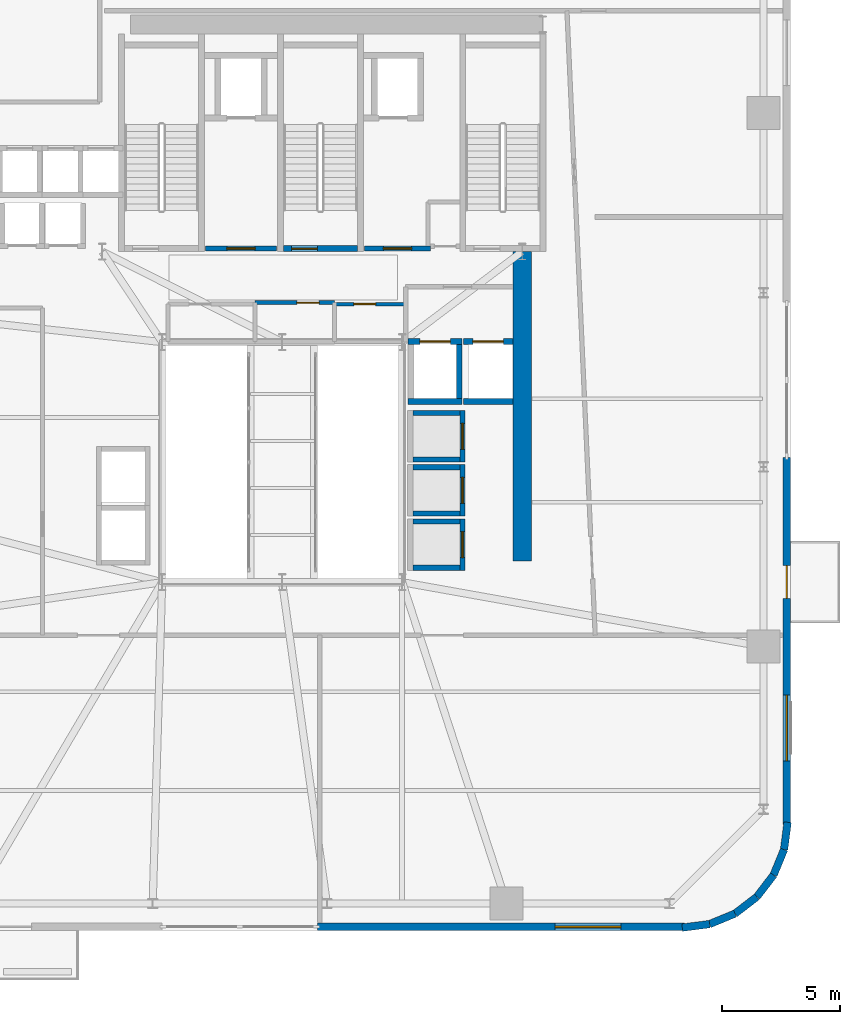
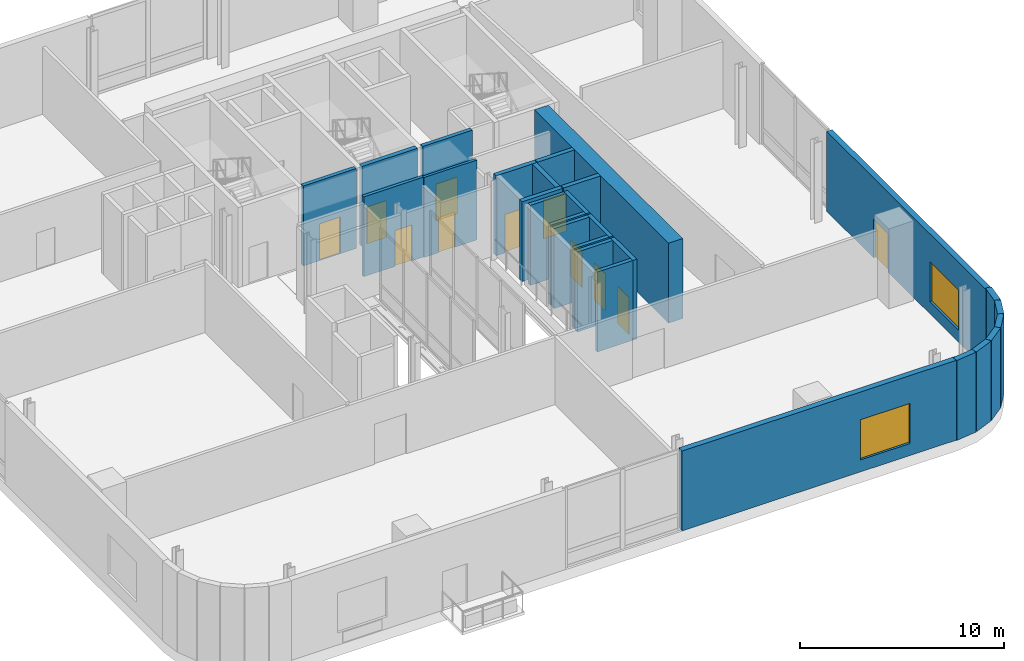
# One storey, part 9 of 14: 28 walls, 11 doors, 2 windows, 13 openings.
"""IFC4 building model written with IfcOpenShell, lengths in metres."""

from ifc_helpers import new_model, si_unit, direction, frame, frame_2d, origin, place, context, subcontext, project, spatial, rectangle, extrude, source, transform, mapped, material, layer, layer_set, type_object, element, fill, save


model = new_model("IFC4")

# Units and contexts
model_context = context("Model", 3, precision=1e-05, world=origin(), true_north=direction((0.0, 1.0)))
body_context = subcontext(model_context, "Body", "Model", "MODEL_VIEW")
ifc_project = project(units=[si_unit("LENGTHUNIT", "METRE"), si_unit("AREAUNIT", "SQUARE_METRE"), si_unit("VOLUMEUNIT", "CUBIC_METRE"), si_unit("PLANEANGLEUNIT", "RADIAN"), si_unit("MASSUNIT", "GRAM", prefix="KILO")], contexts=[model_context])

# Site, building, storey
site_placement = place(None, origin())
site = spatial("IfcSite", under=ifc_project, at=site_placement, CompositionType="ELEMENT")
building_placement = place(site_placement, origin())
building = spatial("IfcBuilding", under=site, at=building_placement, Name="Vardaveli Station Tower", CompositionType="ELEMENT")
storey_placement = place(building_placement, frame((0.0, 0.0, 172.199951171875)))
storey = spatial("IfcBuildingStorey", under=building, at=storey_placement, Name="L44", CompositionType="ELEMENT", Elevation=172.199951171875)

# Wall
ifc_material_1 = material(Name="Concrete C50/60", Category="concrete")
ifc_layer_1 = layer(ifc_material_1, 0.800048828125, Name="Concrete C50/60")
ifc_layer_set_1 = layer_set([ifc_layer_1], Name="Concrete C50/60")
wall_type_1 = type_object("IfcWallType", Name="WAL-CORE-800", PredefinedType="SHEAR", material=ifc_layer_set_1)
shared_shape_1 = source(origin(), body_context, "Body", "SweptSolid", [
    extrude(rectangle(XDim=13.14990234375, YDim=0.800048828125, at=frame_2d((6.574951171875, 0.0))), origin(), (0.0, 0.0, 1.0), 4.780029296875),
])
wall_1_placement = place(storey_placement, frame((46.5, 17.5, 0.0), z_axis=(0.0, 0.0, 1.0), x_axis=(0.0, 1.0, 0.0)))
element("IfcWall", 1, at=wall_1_placement, inside=storey, type_object=wall_type_1, Name="SW-L44-EAST2", PredefinedType="SHEAR", context=body_context, shape_type="MappedRepresentation", body=[
    mapped(shared_shape_1, transform((0.0, 0.0, 0.0), scale=1.0)),
])

# Wall, opening, window
ifc_material_2 = material(Name="Precast concrete C45/55", Category="concrete")
ifc_layer_2 = layer(ifc_material_2, 0.320068359375, Name="Precast concrete C45/55")
ifc_layer_set_2 = layer_set([ifc_layer_2], Name="Precast concrete C45/55")
wall_type_2 = type_object("IfcWallType", Name="WAL-EXT-STONE-320", PredefinedType="SOLIDWALL", material=ifc_layer_set_2)
shared_shape_2 = source(origin(), body_context, "Body", "SweptSolid", [
    extrude(rectangle(XDim=15.599853515625, YDim=0.320068359375, at=frame_2d((7.7998046875, 0.0))), origin(), (0.0, 0.0, 1.0), 4.780029296875),
])
wall_2_placement = place(storey_placement, frame((37.800048828125, 1.9599609375, 0.0), z_axis=(0.0, 0.0, 1.0), x_axis=(1.0, 0.0, 0.0)))
wall_2 = element("IfcWall", 2, at=wall_2_placement, inside=storey, type_object=wall_type_2, Name="EW-L44-S2", PredefinedType="SOLIDWALL", context=body_context, shape_type="MappedRepresentation", body=[
    mapped(shared_shape_2, transform((0.0, 0.0, 0.0), scale=1.0)),
])
shared_shape_3 = source(origin(), body_context, "Body", "SweptSolid", [
    extrude(rectangle(XDim=2.800048828125, YDim=2.39990234375, at=frame_2d((1.39990234375, 1.199951171875))), frame((0.0, 0.169921875, 0.0), z_axis=(0.0, -1.0, 0.0), x_axis=(1.0, 0.0, 0.0)), (0.0, 0.0, 1.0), 0.340087890625),
])
opening_1_placement = place(wall_2_placement, frame((10.094970703125, 0.0, 0.719970703125)))
opening_1 = element("IfcOpeningElement", 3, at=opening_1_placement, cuts=wall_2, Name="Opening W-04", PredefinedType="OPENING", context=body_context, shape_type="MappedRepresentation", body=[
    mapped(shared_shape_3, transform((0.0, 0.0, 0.0), scale=1.0)),
])
ifc_material_3 = material(Name="Low-E solar-control glass", Category="glass")
window_type = type_object("IfcWindowType", Name="WIN-SUITE-2800x2400", PartitioningType="SINGLE_PANEL", PredefinedType="WINDOW", material=ifc_material_3)
shared_shape_4 = source(origin(), body_context, "Body", "SweptSolid", [
    extrude(rectangle(XDim=2.800048828125, YDim=2.39990234375, at=frame_2d((1.39990234375, 1.199951171875))), frame((0.0, 0.030029296875, 0.0), z_axis=(0.0, -1.0, 0.0), x_axis=(1.0, 0.0, 0.0)), (0.0, 0.0, 1.0), 0.06005859375),
])
window_1_placement = place(opening_1_placement, origin())
window_1 = element("IfcWindow", 4, at=window_1_placement, inside=storey, type_object=window_type, Name="WN-L44-S2", OverallHeight=2.39990234375, OverallWidth=2.800048828125, PartitioningType="SINGLE_PANEL", PredefinedType="WINDOW", context=body_context, shape_type="MappedRepresentation", body=[
    mapped(shared_shape_4, transform((0.0, 0.0, 0.0), scale=1.0)),
])
fill(opening_1, window_1)

# Wall, openings, door, window
wall_3_placement = place(storey_placement, frame((57.739990234375, 6.300048828125, 0.0), z_axis=(0.0, 0.0, 1.0), x_axis=(0.0, 1.0, 0.0)))
wall_3 = element("IfcWall", 5, at=wall_3_placement, inside=storey, type_object=wall_type_2, Name="EW-L44-E1", PredefinedType="SOLIDWALL", context=body_context, shape_type="MappedRepresentation", body=[
    mapped(shared_shape_2, transform((0.0, 0.0, 0.0), scale=1.0)),
])
shared_shape_5 = source(origin(), body_context, "Body", "SweptSolid", [
    extrude(rectangle(XDim=1.39990234375, YDim=2.300048828125, at=frame_2d((0.699951171875, 1.14990234375))), frame((0.0, 0.169921875, 0.0), z_axis=(0.0, -1.0, 0.0), x_axis=(1.0, 0.0, 0.0)), (0.0, 0.0, 1.0), 0.340087890625),
])
opening_2_placement = place(wall_3_placement, frame((9.6103515625, 0.0, 0.0)))
opening_2 = element("IfcOpeningElement", 6, at=opening_2_placement, cuts=wall_3, Name="Opening D-09", PredefinedType="OPENING", context=body_context, shape_type="MappedRepresentation", body=[
    mapped(shared_shape_5, transform((0.0, 0.0, 0.0), scale=1.0)),
])
opening_3_placement = place(wall_3_placement, frame((2.705078125, 0.0, 0.719970703125)))
opening_3 = element("IfcOpeningElement", 7, at=opening_3_placement, cuts=wall_3, Name="Opening W-04", PredefinedType="OPENING", context=body_context, shape_type="MappedRepresentation", body=[
    mapped(shared_shape_3, transform((0.0, 0.0, 0.0), scale=1.0)),
])
ifc_material_4 = material(Name="Thermally broken aluminium glass", Category="aluminium")
door_type_1 = type_object("IfcDoorType", Name="DR-LOG-1400x2300", OperationType="DOUBLE_DOOR_SLIDING", PredefinedType="DOOR", material=ifc_material_4)
shared_shape_6 = source(origin(), body_context, "Body", "SweptSolid", [
    extrude(rectangle(XDim=1.39990234375, YDim=2.300048828125, at=frame_2d((0.699951171875, 1.14990234375))), frame((0.0, 0.02490234375, 0.0), z_axis=(0.0, -1.0, 0.0), x_axis=(1.0, 0.0, 0.0)), (0.0, 0.0, 1.0), 0.050048828125),
])
door_1_placement = place(opening_2_placement, frame((1.39990234375, 0.0, 0.0), z_axis=(0.0, 0.0, 1.0), x_axis=(-1.0, 0.0, 0.0)))
door_1 = element("IfcDoor", 8, at=door_1_placement, inside=storey, type_object=door_type_1, Name="DLG-L44-E", OperationType="DOUBLE_DOOR_SLIDING", OverallHeight=2.300048828125, OverallWidth=1.39990234375, PredefinedType="DOOR", context=body_context, shape_type="MappedRepresentation", body=[
    mapped(shared_shape_6, transform((0.0, 0.0, 0.0), scale=1.0)),
])
fill(opening_2, door_1)
window_2_placement = place(opening_3_placement, origin())
window_2 = element("IfcWindow", 9, at=window_2_placement, inside=storey, type_object=window_type, Name="WN-L44-E1", OverallHeight=2.39990234375, OverallWidth=2.800048828125, PartitioningType="SINGLE_PANEL", PredefinedType="WINDOW", context=body_context, shape_type="MappedRepresentation", body=[
    mapped(shared_shape_4, transform((0.0, 0.0, 0.0), scale=1.0)),
])
fill(opening_3, window_2)

# Walls
shared_shape_7 = source(origin(), body_context, "Body", "SweptSolid", [
    extrude(rectangle(XDim=1.170654296875, YDim=0.320068359375, at=frame_2d((0.58544921875, 0.0))), origin(), (0.0, 0.0, 1.0), 4.780029296875),
])
wall_4_placement = place(storey_placement, frame((57.62548828125, 5.23974609375, 0.0), z_axis=(0.0, 0.0, 1.0), x_axis=(0.128269133229, 0.991739395941, 0.0)))
element("IfcWall", 10, at=wall_4_placement, inside=storey, type_object=wall_type_2, Name="EW-L44-CR2-6", PredefinedType="SOLIDWALL", context=body_context, shape_type="MappedRepresentation", body=[
    mapped(shared_shape_7, transform((0.0, 0.0, 0.0), scale=1.0)),
])
shared_shape_8 = source(origin(), body_context, "Body", "SweptSolid", [
    extrude(rectangle(XDim=1.1689453125, YDim=0.320068359375, at=frame_2d((0.58447265625, 0.0))), origin(), (0.0, 0.0, 1.0), 4.780029296875),
])
for number, where, z_axis, x_axis, name in (
    (11, (56.46875, 3.231201171875, 0.0), (0.0, 0.0, 1.0), (0.608387696831, 0.793639975269, 0.0), "EW-L44-CR2-4"),
    (12, (57.179931640625, 4.158935546875, 0.0), (0.0, 0.0, 1.0), (0.381127904695, 0.924522320046, 0.0), "EW-L44-CR2-5"),
):
    element("IfcWall", number, at=place(storey_placement, frame(where, z_axis=z_axis, x_axis=x_axis)), inside=storey, type_object=wall_type_2, Name=name, PredefinedType="SOLIDWALL", context=body_context, shape_type="MappedRepresentation", body=[
        mapped(shared_shape_8, transform((0.0, 0.0, 0.0), scale=1.0)),
    ])
shared_shape_9 = source(origin(), body_context, "Body", "SweptSolid", [
    extrude(rectangle(XDim=1.168701171875, YDim=0.320068359375, at=frame_2d((0.58447265625, 0.0))), origin(), (0.0, 0.0, 1.0), 4.780029296875),
])
wall_5_placement = place(storey_placement, frame((55.541259765625, 2.520263671875, 0.0), z_axis=(0.0, 0.0, 1.0), x_axis=(0.793663520347, 0.608356981114, 0.0)))
element("IfcWall", 13, at=wall_5_placement, inside=storey, type_object=wall_type_2, Name="EW-L44-CR2-3", PredefinedType="SOLIDWALL", context=body_context, shape_type="MappedRepresentation", body=[
    mapped(shared_shape_9, transform((0.0, 0.0, 0.0), scale=1.0)),
])
shared_shape_10 = source(origin(), body_context, "Body", "SweptSolid", [
    extrude(rectangle(XDim=1.16943359375, YDim=0.320068359375, at=frame_2d((0.584716796875, 0.0))), origin(), (0.0, 0.0, 1.0), 4.780029296875),
])
wall_6_placement = place(storey_placement, frame((54.460205078125, 2.074462890625, 0.0), z_axis=(0.0, 0.0, 1.0), x_axis=(0.924479075121, 0.381232789334, 0.0)))
element("IfcWall", 14, at=wall_6_placement, inside=storey, type_object=wall_type_2, Name="EW-L44-CR2-2", PredefinedType="SOLIDWALL", context=body_context, shape_type="MappedRepresentation", body=[
    mapped(shared_shape_10, transform((0.0, 0.0, 0.0), scale=1.0)),
])
shared_shape_11 = source(origin(), body_context, "Body", "SweptSolid", [
    extrude(rectangle(XDim=1.170166015625, YDim=0.320068359375, at=frame_2d((0.5849609375, 0.0))), origin(), (0.0, 0.0, 1.0), 4.780029296875),
])
wall_7_placement = place(storey_placement, frame((53.299560546875, 1.924560546875, 0.0), z_axis=(0.0, 0.0, 1.0), x_axis=(0.991762485493, 0.128090485085, 0.0)))
element("IfcWall", 15, at=wall_7_placement, inside=storey, type_object=wall_type_2, Name="EW-L44-CR2-1", PredefinedType="SOLIDWALL", context=body_context, shape_type="MappedRepresentation", body=[
    mapped(shared_shape_11, transform((0.0, 0.0, 0.0), scale=1.0)),
])

# Wall, opening, door
ifc_material_5 = material(Name="Concrete C40/50", Category="concrete")
ifc_layer_3 = layer(ifc_material_5, 0.25, Name="Concrete C40/50")
ifc_layer_set_3 = layer_set([ifc_layer_3], Name="Concrete C40/50")
wall_type_3 = type_object("IfcWallType", Name="WAL-SHAFT-250", PredefinedType="SOLIDWALL", material=ifc_layer_set_3)
shared_shape_12 = source(origin(), body_context, "Body", "SweptSolid", [
    extrude(rectangle(XDim=3.14990234375, YDim=0.25, at=frame_2d((1.574951171875, 0.0))), origin(), (0.0, 0.0, 1.0), 4.800048828125),
])
wall_8_placement = place(storey_placement, frame((36.35009765625, 30.77490234375, 0.0), z_axis=(0.0, 0.0, 1.0), x_axis=(1.0, 0.0, 0.0)))
wall_8 = element("IfcWall", 16, at=wall_8_placement, inside=storey, type_object=wall_type_3, Name="W-L44-ST-2S", PredefinedType="SOLIDWALL", context=body_context, shape_type="MappedRepresentation", body=[
    mapped(shared_shape_12, transform((0.0, 0.0, 0.0), scale=1.0)),
])
shared_shape_13 = source(origin(), body_context, "Body", "SweptSolid", [
    extrude(rectangle(XDim=1.10009765625, YDim=2.199951171875, at=frame_2d((0.550048828125, 1.10009765625))), frame((0.0, 0.135009765625, 0.0), z_axis=(0.0, -1.0, 0.0), x_axis=(1.0, 0.0, 0.0)), (0.0, 0.0, 1.0), 0.27001953125),
])
opening_4_placement = place(wall_8_placement, frame((0.35009765625, 0.0, 0.0)))
opening_4 = element("IfcOpeningElement", 17, at=opening_4_placement, cuts=wall_8, Name="Opening D-04", PredefinedType="OPENING", context=body_context, shape_type="MappedRepresentation", body=[
    mapped(shared_shape_13, transform((0.0, 0.0, 0.0), scale=1.0)),
])
ifc_material_6 = material(Name="Steel smokeproof fire doorset", Category="steel")
door_type_2 = type_object("IfcDoorType", Name="DR-ST-1100x2200", OperationType="NOTDEFINED", PredefinedType="DOOR", material=ifc_material_6)
shared_shape_14 = source(origin(), body_context, "Body", "SweptSolid", [
    extrude(rectangle(XDim=1.10009765625, YDim=2.199951171875, at=frame_2d((0.550048828125, 1.10009765625))), frame((0.0, 0.02490234375, 0.0), z_axis=(0.0, -1.0, 0.0), x_axis=(1.0, 0.0, 0.0)), (0.0, 0.0, 1.0), 0.050048828125),
])
door_2_placement = place(opening_4_placement, origin())
door_2 = element("IfcDoor", 18, at=door_2_placement, inside=storey, type_object=door_type_2, Name="DST-2-L44", OperationType="SINGLE_SWING_LEFT", OverallHeight=2.199951171875, OverallWidth=1.10009765625, PredefinedType="DOOR", context=body_context, shape_type="MappedRepresentation", body=[
    mapped(shared_shape_14, transform((0.0, 0.0, 0.0), scale=1.0)),
])
fill(opening_4, door_2)

ifc_layer_4 = layer(ifc_material_5, 0.219970703125, Name="Concrete C40/50")
ifc_layer_set_4 = layer_set([ifc_layer_4], Name="Concrete C40/50")
wall_type_4 = type_object("IfcWallType", Name="WAL-FFLOBBY-220", PredefinedType="SOLIDWALL", material=ifc_layer_set_4)
shared_shape_15 = source(origin(), body_context, "Body", "SweptSolid", [
    extrude(rectangle(XDim=3.0, YDim=0.219970703125, at=frame_2d((1.5, 0.0))), origin(), (0.0, 0.0, 1.0), 4.780029296875),
])
wall_9_placement = place(storey_placement, frame((33.050048828125, 30.780029296875, 0.0), z_axis=(0.0, 0.0, 1.0), x_axis=(1.0, 0.0, 0.0)))
wall_9 = element("IfcWall", 19, at=wall_9_placement, inside=storey, type_object=wall_type_4, Name="W-L44-FFL1S", PredefinedType="SOLIDWALL", context=body_context, shape_type="MappedRepresentation", body=[
    mapped(shared_shape_15, transform((0.0, 0.0, 0.0), scale=1.0)),
])
shared_shape_16 = source(origin(), body_context, "Body", "SweptSolid", [
    extrude(rectangle(XDim=1.199951171875, YDim=2.199951171875, at=frame_2d((0.60009765625, 1.10009765625))), frame((0.0, 0.1201171875, 0.0), z_axis=(0.0, -1.0, 0.0), x_axis=(1.0, 0.0, 0.0)), (0.0, 0.0, 1.0), 0.239990234375),
])
opening_5_placement = place(wall_9_placement, frame((0.89990234375, 0.0, 0.0)))
opening_5 = element("IfcOpeningElement", 20, at=opening_5_placement, cuts=wall_9, Name="Opening D-03", PredefinedType="OPENING", context=body_context, shape_type="MappedRepresentation", body=[
    mapped(shared_shape_16, transform((0.0, 0.0, 0.0), scale=1.0)),
])
door_type_3 = type_object("IfcDoorType", Name="DR-FFL-1200x2200", OperationType="NOTDEFINED", PredefinedType="DOOR", material=ifc_material_6)
shared_shape_17 = source(origin(), body_context, "Body", "SweptSolid", [
    extrude(rectangle(XDim=1.199951171875, YDim=2.199951171875, at=frame_2d((0.60009765625, 1.10009765625))), frame((0.0, 0.02490234375, 0.0), z_axis=(0.0, -1.0, 0.0), x_axis=(1.0, 0.0, 0.0)), (0.0, 0.0, 1.0), 0.050048828125),
])
door_3_placement = place(opening_5_placement, origin())
door_3 = element("IfcDoor", 21, at=door_3_placement, inside=storey, type_object=door_type_3, Name="DFFL1-L44", OperationType="SINGLE_SWING_LEFT", OverallHeight=2.199951171875, OverallWidth=1.199951171875, PredefinedType="DOOR", context=body_context, shape_type="MappedRepresentation", body=[
    mapped(shared_shape_17, transform((0.0, 0.0, 0.0), scale=1.0)),
])
fill(opening_5, door_3)

shared_shape_18 = source(origin(), body_context, "Body", "SweptSolid", [
    extrude(rectangle(XDim=2.800048828125, YDim=0.219970703125, at=frame_2d((1.39990234375, 0.0))), origin(), (0.0, 0.0, 1.0), 4.780029296875),
])
wall_10_placement = place(storey_placement, frame((39.800048828125, 30.780029296875, 0.0), z_axis=(0.0, 0.0, 1.0), x_axis=(1.0, 0.0, 0.0)))
wall_10 = element("IfcWall", 22, at=wall_10_placement, inside=storey, type_object=wall_type_4, Name="W-L44-FFL2S", PredefinedType="SOLIDWALL", context=body_context, shape_type="MappedRepresentation", body=[
    mapped(shared_shape_18, transform((0.0, 0.0, 0.0), scale=1.0)),
])
opening_6_placement = place(wall_10_placement, frame((0.800048828125, 0.0, 0.0)))
opening_6 = element("IfcOpeningElement", 23, at=opening_6_placement, cuts=wall_10, Name="Opening D-03", PredefinedType="OPENING", context=body_context, shape_type="MappedRepresentation", body=[
    mapped(shared_shape_16, transform((0.0, 0.0, 0.0), scale=1.0)),
])
door_4_placement = place(opening_6_placement, origin())
door_4 = element("IfcDoor", 24, at=door_4_placement, inside=storey, type_object=door_type_3, Name="DFFL2-L44", OperationType="SINGLE_SWING_RIGHT", OverallHeight=2.199951171875, OverallWidth=1.199951171875, PredefinedType="DOOR", context=body_context, shape_type="MappedRepresentation", body=[
    mapped(shared_shape_17, transform((0.0, 0.0, 0.0), scale=1.0)),
])
fill(opening_6, door_4)

# Walls
shared_shape_19 = source(origin(), body_context, "Body", "SweptSolid", [
    extrude(rectangle(XDim=2.0, YDim=0.219970703125, at=frame_2d((1.0, 0.0))), origin(), (0.0, 0.0, 1.0), 4.780029296875),
])
for number, where, z_axis, x_axis, name in (
    (25, (41.85009765625, 21.81494140625, 0.0), (0.0, 0.0, 1.0), (1.0, 0.0, 0.0), "SHW-HL3-01-L44-S"),
    (26, (41.85009765625, 23.784912109375, 0.0), (0.0, 0.0, 1.0), (1.0, 0.0, 0.0), "SHW-HL3-01-L44-N"),
    (27, (41.85009765625, 19.514892578125, 0.0), (0.0, 0.0, 1.0), (1.0, 0.0, 0.0), "SHW-HL3-02-L44-S"),
    (28, (41.85009765625, 21.485107421875, 0.0), (0.0, 0.0, 1.0), (1.0, 0.0, 0.0), "SHW-HL3-02-L44-N"),
    (29, (41.85009765625, 17.215087890625, 0.0), (0.0, 0.0, 1.0), (1.0, 0.0, 0.0), "SHW-HL3-03-L44-S"),
    (30, (41.85009765625, 19.18505859375, 0.0), (0.0, 0.0, 1.0), (1.0, 0.0, 0.0), "SHW-HL3-03-L44-N"),
):
    element("IfcWall", number, at=place(storey_placement, frame(where, z_axis=z_axis, x_axis=x_axis)), inside=storey, type_object=wall_type_4, Name=name, PredefinedType="SOLIDWALL", context=body_context, shape_type="MappedRepresentation", body=[
        mapped(shared_shape_19, transform((0.0, 0.0, 0.0), scale=1.0)),
    ])

# Wall, opening, door
shared_shape_20 = source(origin(), body_context, "Body", "SweptSolid", [
    extrude(rectangle(XDim=2.18994140625, YDim=0.219970703125, at=frame_2d((1.094970703125, 0.0))), origin(), (0.0, 0.0, 1.0), 4.780029296875),
])
wall_11_placement = place(storey_placement, frame((43.9599609375, 21.705078125, 0.0), z_axis=(0.0, 0.0, 1.0), x_axis=(0.0, 1.0, 0.0)))
wall_11 = element("IfcWall", 31, at=wall_11_placement, inside=storey, type_object=wall_type_4, Name="SHW-HL3-01-L44-E", PredefinedType="SOLIDWALL", context=body_context, shape_type="MappedRepresentation", body=[
    mapped(shared_shape_20, transform((0.0, 0.0, 0.0), scale=1.0)),
])
shared_shape_21 = source(origin(), body_context, "Body", "SweptSolid", [
    extrude(rectangle(XDim=1.10009765625, YDim=2.199951171875, at=frame_2d((0.550048828125, 1.10009765625))), frame((0.0, 0.1201171875, 0.0), z_axis=(0.0, -1.0, 0.0), x_axis=(1.0, 0.0, 0.0)), (0.0, 0.0, 1.0), 0.239990234375),
])
opening_7_placement = place(wall_11_placement, frame((0.544921875, 0.0, 0.0)))
opening_7 = element("IfcOpeningElement", 32, at=opening_7_placement, cuts=wall_11, Name="Opening LD-01", PredefinedType="OPENING", context=body_context, shape_type="MappedRepresentation", body=[
    mapped(shared_shape_21, transform((0.0, 0.0, 0.0), scale=1.0)),
])
ifc_material_7 = material(Name="Brushed stainless steel", Category="steel")
door_type_4 = type_object("IfcDoorType", Name="DR-LD-1100x2200", OperationType="DOUBLE_DOOR_SLIDING", PredefinedType="DOOR", material=ifc_material_7)
door_5_placement = place(opening_7_placement, origin())
door_5 = element("IfcDoor", 33, at=door_5_placement, inside=storey, type_object=door_type_4, Name="LD-HL3-01-L44", OperationType="DOUBLE_DOOR_SLIDING", OverallHeight=2.199951171875, OverallWidth=1.10009765625, PredefinedType="DOOR", context=body_context, shape_type="MappedRepresentation", body=[
    mapped(shared_shape_14, transform((0.0, 0.0, 0.0), scale=1.0)),
])
fill(opening_7, door_5)

wall_12_placement = place(storey_placement, frame((43.9599609375, 19.405029296875, 0.0), z_axis=(0.0, 0.0, 1.0), x_axis=(0.0, 1.0, 0.0)))
wall_12 = element("IfcWall", 34, at=wall_12_placement, inside=storey, type_object=wall_type_4, Name="SHW-HL3-02-L44-E", PredefinedType="SOLIDWALL", context=body_context, shape_type="MappedRepresentation", body=[
    mapped(shared_shape_20, transform((0.0, 0.0, 0.0), scale=1.0)),
])
opening_8_placement = place(wall_12_placement, frame((0.544921875, 0.0, 0.0)))
opening_8 = element("IfcOpeningElement", 35, at=opening_8_placement, cuts=wall_12, Name="Opening LD-01", PredefinedType="OPENING", context=body_context, shape_type="MappedRepresentation", body=[
    mapped(shared_shape_21, transform((0.0, 0.0, 0.0), scale=1.0)),
])
door_6_placement = place(opening_8_placement, origin())
door_6 = element("IfcDoor", 36, at=door_6_placement, inside=storey, type_object=door_type_4, Name="LD-HL3-02-L44", OperationType="DOUBLE_DOOR_SLIDING", OverallHeight=2.199951171875, OverallWidth=1.10009765625, PredefinedType="DOOR", context=body_context, shape_type="MappedRepresentation", body=[
    mapped(shared_shape_14, transform((0.0, 0.0, 0.0), scale=1.0)),
])
fill(opening_8, door_6)

wall_13_placement = place(storey_placement, frame((43.9599609375, 17.10498046875, 0.0), z_axis=(0.0, 0.0, 1.0), x_axis=(0.0, 1.0, 0.0)))
wall_13 = element("IfcWall", 37, at=wall_13_placement, inside=storey, type_object=wall_type_4, Name="SHW-HL3-03-L44-E", PredefinedType="SOLIDWALL", context=body_context, shape_type="MappedRepresentation", body=[
    mapped(shared_shape_20, transform((0.0, 0.0, 0.0), scale=1.0)),
])
opening_9_placement = place(wall_13_placement, frame((0.544921875, 0.0, 0.0)))
opening_9 = element("IfcOpeningElement", 38, at=opening_9_placement, cuts=wall_13, Name="Opening LD-01", PredefinedType="OPENING", context=body_context, shape_type="MappedRepresentation", body=[
    mapped(shared_shape_21, transform((0.0, 0.0, 0.0), scale=1.0)),
])
door_7_placement = place(opening_9_placement, origin())
door_7 = element("IfcDoor", 39, at=door_7_placement, inside=storey, type_object=door_type_4, Name="LD-HL3-03-L44", OperationType="DOUBLE_DOOR_SLIDING", OverallHeight=2.199951171875, OverallWidth=1.10009765625, PredefinedType="DOOR", context=body_context, shape_type="MappedRepresentation", body=[
    mapped(shared_shape_14, transform((0.0, 0.0, 0.0), scale=1.0)),
])
fill(opening_9, door_7)

# Wall
shared_shape_22 = source(origin(), body_context, "Body", "SweptSolid", [
    extrude(rectangle(XDim=2.300048828125, YDim=0.25, at=frame_2d((1.14990234375, 0.0))), origin(), (0.0, 0.0, 1.0), 4.780029296875),
])
wall_14_placement = place(storey_placement, frame((41.64990234375, 24.27490234375, 0.0), z_axis=(0.0, 0.0, 1.0), x_axis=(1.0, 0.0, 0.0)))
element("IfcWall", 40, at=wall_14_placement, inside=storey, type_object=wall_type_3, Name="SHW-SRV-01-L44-S", PredefinedType="SOLIDWALL", context=body_context, shape_type="MappedRepresentation", body=[
    mapped(shared_shape_22, transform((0.0, 0.0, 0.0), scale=1.0)),
])

# Wall, opening, door
wall_15_placement = place(storey_placement, frame((41.64990234375, 26.824951171875, 0.0), z_axis=(0.0, 0.0, 1.0), x_axis=(1.0, 0.0, 0.0)))
wall_15 = element("IfcWall", 41, at=wall_15_placement, inside=storey, type_object=wall_type_3, Name="SHW-SRV-01-L44-N", PredefinedType="SOLIDWALL", context=body_context, shape_type="MappedRepresentation", body=[
    mapped(shared_shape_22, transform((0.0, 0.0, 0.0), scale=1.0)),
])
shared_shape_23 = source(origin(), body_context, "Body", "SweptSolid", [
    extrude(rectangle(XDim=1.300048828125, YDim=2.300048828125, at=frame_2d((0.64990234375, 1.14990234375))), frame((0.0, 0.135009765625, 0.0), z_axis=(0.0, -1.0, 0.0), x_axis=(1.0, 0.0, 0.0)), (0.0, 0.0, 1.0), 0.27001953125),
])
opening_10_placement = place(wall_15_placement, frame((0.5, 0.0, 0.0)))
opening_10 = element("IfcOpeningElement", 42, at=opening_10_placement, cuts=wall_15, Name="Opening LD-03", PredefinedType="OPENING", context=body_context, shape_type="MappedRepresentation", body=[
    mapped(shared_shape_23, transform((0.0, 0.0, 0.0), scale=1.0)),
])
door_type_5 = type_object("IfcDoorType", Name="DR-LD-1300x2300", OperationType="DOUBLE_DOOR_SLIDING", PredefinedType="DOOR", material=ifc_material_7)
shared_shape_24 = source(origin(), body_context, "Body", "SweptSolid", [
    extrude(rectangle(XDim=1.300048828125, YDim=2.300048828125, at=frame_2d((0.64990234375, 1.14990234375))), frame((0.0, 0.02490234375, 0.0), z_axis=(0.0, -1.0, 0.0), x_axis=(1.0, 0.0, 0.0)), (0.0, 0.0, 1.0), 0.050048828125),
])
door_8_placement = place(opening_10_placement, origin())
door_8 = element("IfcDoor", 43, at=door_8_placement, inside=storey, type_object=door_type_5, Name="LD-SRV-01-L44", OperationType="DOUBLE_DOOR_SLIDING", OverallHeight=2.300048828125, OverallWidth=1.300048828125, PredefinedType="DOOR", context=body_context, shape_type="MappedRepresentation", body=[
    mapped(shared_shape_24, transform((0.0, 0.0, 0.0), scale=1.0)),
])
fill(opening_10, door_8)

# Walls
wall_16_placement = place(storey_placement, frame((43.824951171875, 24.39990234375, 0.0), z_axis=(0.0, 0.0, 1.0), x_axis=(0.0, 1.0, 0.0)))
element("IfcWall", 44, at=wall_16_placement, inside=storey, type_object=wall_type_3, Name="SHW-SRV-01-L44-E", PredefinedType="SOLIDWALL", context=body_context, shape_type="MappedRepresentation", body=[
    mapped(shared_shape_22, transform((0.0, 0.0, 0.0), scale=1.0)),
])
shared_shape_25 = source(origin(), body_context, "Body", "SweptSolid", [
    extrude(rectangle(XDim=2.10009765625, YDim=0.25, at=frame_2d((1.050048828125, 0.0))), origin(), (0.0, 0.0, 1.0), 4.780029296875),
])
wall_17_placement = place(storey_placement, frame((44.0, 24.27490234375, 0.0), z_axis=(0.0, 0.0, 1.0), x_axis=(1.0, 0.0, 0.0)))
element("IfcWall", 45, at=wall_17_placement, inside=storey, type_object=wall_type_3, Name="SHW-SRV-02-L44-S", PredefinedType="SOLIDWALL", context=body_context, shape_type="MappedRepresentation", body=[
    mapped(shared_shape_25, transform((0.0, 0.0, 0.0), scale=1.0)),
])

# Wall, opening, door
wall_18_placement = place(storey_placement, frame((44.0, 26.824951171875, 0.0), z_axis=(0.0, 0.0, 1.0), x_axis=(1.0, 0.0, 0.0)))
wall_18 = element("IfcWall", 46, at=wall_18_placement, inside=storey, type_object=wall_type_3, Name="SHW-SRV-02-L44-N", PredefinedType="SOLIDWALL", context=body_context, shape_type="MappedRepresentation", body=[
    mapped(shared_shape_25, transform((0.0, 0.0, 0.0), scale=1.0)),
])
opening_11_placement = place(wall_18_placement, frame((0.39990234375, 0.0, 0.0)))
opening_11 = element("IfcOpeningElement", 47, at=opening_11_placement, cuts=wall_18, Name="Opening LD-03", PredefinedType="OPENING", context=body_context, shape_type="MappedRepresentation", body=[
    mapped(shared_shape_23, transform((0.0, 0.0, 0.0), scale=1.0)),
])
door_9_placement = place(opening_11_placement, origin())
door_9 = element("IfcDoor", 48, at=door_9_placement, inside=storey, type_object=door_type_5, Name="LD-SRV-02-L44", OperationType="DOUBLE_DOOR_SLIDING", OverallHeight=2.300048828125, OverallWidth=1.300048828125, PredefinedType="DOOR", context=body_context, shape_type="MappedRepresentation", body=[
    mapped(shared_shape_24, transform((0.0, 0.0, 0.0), scale=1.0)),
])
fill(opening_11, door_9)

ifc_material_8 = material(Name="Fire-rated gypsum stud partition")
ifc_layer_5 = layer(ifc_material_8, 0.179931640625, Name="Fire-rated gypsum stud partition")
ifc_layer_set_5 = layer_set([ifc_layer_5], Name="Fire-rated gypsum stud partition")
wall_type_5 = type_object("IfcWallType", Name="WAL-CORR-180", PredefinedType="PARTITIONING", material=ifc_layer_set_5)
shared_shape_26 = source(origin(), body_context, "Body", "SweptSolid", [
    extrude(rectangle(XDim=3.3701171875, YDim=0.179931640625, at=frame_2d((1.68505859375, 0.0))), origin(), (0.0, 0.0, 1.0), 4.780029296875),
])
wall_19_placement = place(storey_placement, frame((35.14990234375, 28.47998046875, 0.0), z_axis=(0.0, 0.0, 1.0), x_axis=(1.0, 0.0, 0.0)))
wall_19 = element("IfcWall", 49, at=wall_19_placement, inside=storey, type_object=wall_type_5, Name="W-L44-HKP2-N", PredefinedType="PARTITIONING", context=body_context, shape_type="MappedRepresentation", body=[
    mapped(shared_shape_26, transform((0.0, 0.0, 0.0), scale=1.0)),
])
shared_shape_27 = source(origin(), body_context, "Body", "SweptSolid", [
    extrude(rectangle(XDim=0.949951171875, YDim=2.14990234375, at=frame_2d((0.47509765625, 1.074951171875))), frame((0.0, 0.10009765625, 0.0), z_axis=(0.0, -1.0, 0.0), x_axis=(1.0, 0.0, 0.0)), (0.0, 0.0, 1.0), 0.199951171875),
])
opening_12_placement = place(wall_19_placement, frame((1.77490234375, 0.0, 0.0)))
opening_12 = element("IfcOpeningElement", 50, at=opening_12_placement, cuts=wall_19, Name="Opening D-06", PredefinedType="OPENING", context=body_context, shape_type="MappedRepresentation", body=[
    mapped(shared_shape_27, transform((0.0, 0.0, 0.0), scale=1.0)),
])
ifc_material_9 = material(Name="Oak veneer acoustic fire door")
door_type_6 = type_object("IfcDoorType", Name="DR-GUEST-950x2150", OperationType="NOTDEFINED", PredefinedType="DOOR", material=ifc_material_9)
shared_shape_28 = source(origin(), body_context, "Body", "SweptSolid", [
    extrude(rectangle(XDim=0.949951171875, YDim=2.14990234375, at=frame_2d((0.47509765625, 1.074951171875))), frame((0.0, 0.02490234375, 0.0), z_axis=(0.0, -1.0, 0.0), x_axis=(1.0, 0.0, 0.0)), (0.0, 0.0, 1.0), 0.050048828125),
])
door_10_placement = place(opening_12_placement, origin())
door_10 = element("IfcDoor", 51, at=door_10_placement, inside=storey, type_object=door_type_6, Name="D-L44-HKP", OperationType="SINGLE_SWING_LEFT", OverallHeight=2.14990234375, OverallWidth=0.949951171875, PredefinedType="DOOR", context=body_context, shape_type="MappedRepresentation", body=[
    mapped(shared_shape_28, transform((0.0, 0.0, 0.0), scale=1.0)),
])
fill(opening_12, door_10)

ifc_material_10 = material(Name="Moisture-resistant stud partition")
ifc_layer_6 = layer(ifc_material_10, 0.14990234375, Name="Moisture-resistant stud partition")
ifc_layer_set_6 = layer_set([ifc_layer_6], Name="Moisture-resistant stud partition")
wall_type_6 = type_object("IfcWallType", Name="WAL-WET-150", PredefinedType="PARTITIONING", material=ifc_layer_set_6)
shared_shape_29 = source(origin(), body_context, "Body", "SweptSolid", [
    extrude(rectangle(XDim=3.0, YDim=0.14990234375, at=frame_2d((1.5, 0.0))), origin(), (0.0, 0.0, 1.0), 4.780029296875),
])
wall_20_placement = place(storey_placement, frame((38.52001953125, 28.419921875, 0.0), z_axis=(0.0, 0.0, 1.0), x_axis=(1.0, 0.0, 0.0)))
wall_20 = element("IfcWall", 52, at=wall_20_placement, inside=storey, type_object=wall_type_6, Name="W-L44-WCA2-N", PredefinedType="PARTITIONING", context=body_context, shape_type="MappedRepresentation", body=[
    mapped(shared_shape_29, transform((0.0, 0.0, 0.0), scale=1.0)),
])
shared_shape_30 = source(origin(), body_context, "Body", "SweptSolid", [
    extrude(rectangle(XDim=0.919921875, YDim=2.10009765625, at=frame_2d((0.4599609375, 1.050048828125))), frame((0.0, 0.0849609375, 0.0), z_axis=(0.0, -1.0, 0.0), x_axis=(1.0, 0.0, 0.0)), (0.0, 0.0, 1.0), 0.169921875),
])
opening_13_placement = place(wall_20_placement, frame((0.830078125, 0.0, 0.0)))
opening_13 = element("IfcOpeningElement", 53, at=opening_13_placement, cuts=wall_20, Name="Opening D-07", PredefinedType="OPENING", context=body_context, shape_type="MappedRepresentation", body=[
    mapped(shared_shape_30, transform((0.0, 0.0, 0.0), scale=1.0)),
])
ifc_material_11 = material(Name="Moisture-resistant hardwood door", Category="wood")
door_type_7 = type_object("IfcDoorType", Name="DR-WC-920x2100", OperationType="NOTDEFINED", PredefinedType="DOOR", material=ifc_material_11)
shared_shape_31 = source(origin(), body_context, "Body", "SweptSolid", [
    extrude(rectangle(XDim=0.919921875, YDim=2.10009765625, at=frame_2d((0.4599609375, 1.050048828125))), frame((0.0, 0.02490234375, 0.0), z_axis=(0.0, -1.0, 0.0), x_axis=(1.0, 0.0, 0.0)), (0.0, 0.0, 1.0), 0.050048828125),
])
door_11_placement = place(opening_13_placement, origin())
door_11 = element("IfcDoor", 54, at=door_11_placement, inside=storey, type_object=door_type_7, Name="D-L44-WCA", OperationType="SINGLE_SWING_RIGHT", OverallHeight=2.10009765625, OverallWidth=0.919921875, PredefinedType="DOOR", context=body_context, shape_type="MappedRepresentation", body=[
    mapped(shared_shape_31, transform((0.0, 0.0, 0.0), scale=1.0)),
])
fill(opening_13, door_11)

save(model, "model.ifc")
